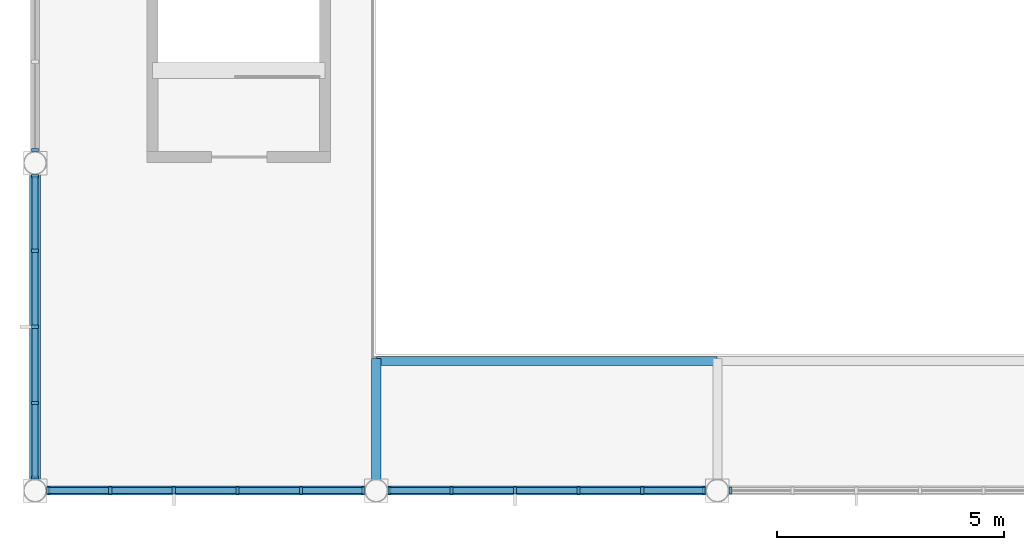
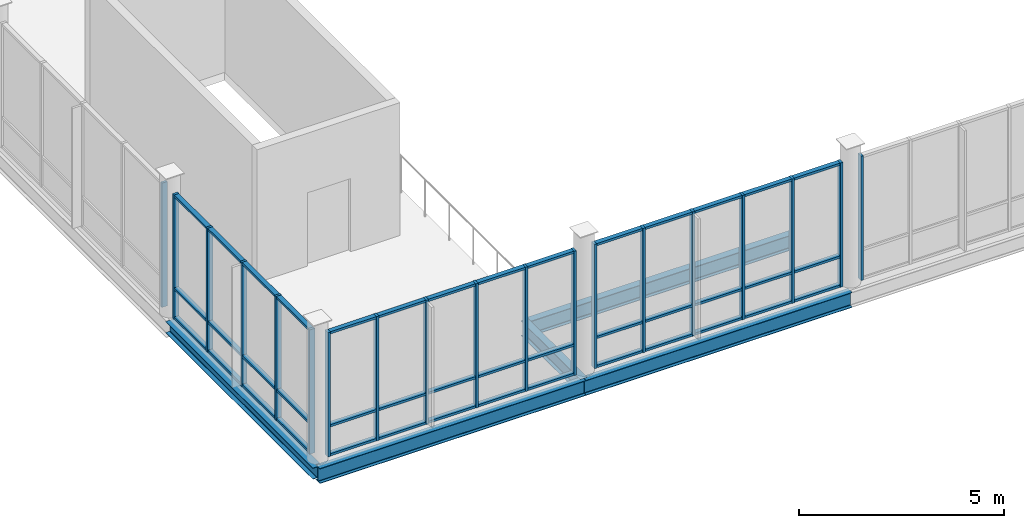
# One storey, part 15 of 75: 61 members, 5 beams, 5 elements without a shape of their own.
"""IFC4 building model written with IfcOpenShell, lengths in metres."""

from ifc_helpers import new_model, si_unit, direction, frame, origin, origin_2d, place, context, subcontext, project, spatial, rectangle, i_section, extrude, material, layer, layer_set, material_profile, profile_set, type_object, element, aggregate, save


model = new_model("IFC4")

# Units and contexts
model_context = context("Model", 3, precision=1e-05, world=origin(), true_north=direction((0.0, 1.0)))
body_context = subcontext(model_context, "Body", "Model", "MODEL_VIEW")
ifc_project = project(units=[si_unit("LENGTHUNIT", "METRE"), si_unit("AREAUNIT", "SQUARE_METRE"), si_unit("VOLUMEUNIT", "CUBIC_METRE"), si_unit("PLANEANGLEUNIT", "RADIAN"), si_unit("MASSUNIT", "GRAM", prefix="KILO")], contexts=[model_context])

# Site, building, storey
site_placement = place(None, origin())
site = spatial("IfcSite", under=ifc_project, at=site_placement, CompositionType="ELEMENT")
building_placement = place(site_placement, origin())
building = spatial("IfcBuilding", under=site, at=building_placement, Name="Yukiwa Park Conservatory and Herbarium", CompositionType="ELEMENT")
storey_placement = place(building_placement, frame((0.0, 0.0, 4.800048828125)))
storey = spatial("IfcBuildingStorey", under=building, at=storey_placement, Name="L01", CompositionType="ELEMENT", Elevation=4.800048828125)

# Beams
ifc_material_1 = material(Name="Steel Q355D", Category="steel")
ifc_material_profile_1 = material_profile(ifc_material_1, i_section(OverallWidth=0.25, OverallDepth=0.340087890625, WebThickness=0.009033203125, FlangeThickness=0.013916015625, FilletRadius=0.02001953125, at=origin_2d()), Name="HM 340x250x9x14")
ifc_profile_set_1 = profile_set([ifc_material_profile_1], Name="Steel Q355D")
beam_type_1 = type_object("IfcBeamType", Name="BM-GRD-HM340", PredefinedType="BEAM", material=ifc_profile_set_1)
beam_1_placement = place(storey_placement, frame((0.0, 0.006103515625, -0.41015625), z_axis=(0.0, 1.0, 0.0), x_axis=(-1.0, 0.0, 0.0)))
element("IfcBeam", 1, at=beam_1_placement, inside=storey, type_object=beam_type_1, Name="L01 grid girder Y-103", PredefinedType="BEAM", context=body_context, shape_type="SweptSolid", body=[
    extrude(i_section(OverallWidth=0.25, OverallDepth=0.340087890625, WebThickness=0.009033203125, FlangeThickness=0.013916015625, FilletRadius=0.02001953125, at=origin_2d()), origin(), (0.0, 0.0, 1.0), 7.18798828125),
])
ifc_material_2 = material(Name="Steel Q355D", Category="steel")
ifc_material_profile_2 = material_profile(ifc_material_2, i_section(OverallWidth=0.199951171875, OverallDepth=0.449951171875, WebThickness=0.009033203125, FlangeThickness=0.013916015625, FilletRadius=0.01806640625, at=origin_2d()), Name="HN 450x200x9x14")
ifc_profile_set_2 = profile_set([ifc_material_profile_2], Name="Steel Q355D")
beam_type_2 = type_object("IfcBeamType", Name="BM-GRD-HN450", PredefinedType="BEAM", material=ifc_profile_set_2)
for number, where, z_axis, x_axis, name in (
    (2, (0.006103515625, 0.0, -0.465087890625), (1.0, 0.0, 0.0), (0.0, 1.0, 0.0), "L01 grid beam X-1"),
    (3, (7.506103515625, 0.0, -0.465087890625), (1.0, 0.0, 0.0), (0.0, 1.0, 0.0), "L01 grid beam X-2"),
):
    element("IfcBeam", number, at=place(storey_placement, frame(where, z_axis=z_axis, x_axis=x_axis)), inside=storey, type_object=beam_type_2, Name=name, PredefinedType="BEAM", context=body_context, shape_type="SweptSolid", body=[
        extrude(i_section(OverallWidth=0.199951171875, OverallDepth=0.449951171875, WebThickness=0.009033203125, FlangeThickness=0.013916015625, FilletRadius=0.01806640625, at=origin_2d()), origin(), (0.0, 0.0, 1.0), 7.48779296875),
    ])
beam_2_placement = place(storey_placement, frame((7.5, 0.006103515625, -0.465087890625), z_axis=(0.0, 1.0, 0.0), x_axis=(-1.0, 0.0, 0.0)))
element("IfcBeam", 4, at=beam_2_placement, inside=storey, type_object=beam_type_2, Name="Conservatory canopy walk cantilever bracket 1", PredefinedType="BEAM", context=body_context, shape_type="SweptSolid", body=[
    extrude(i_section(OverallWidth=0.199951171875, OverallDepth=0.449951171875, WebThickness=0.009033203125, FlangeThickness=0.013916015625, FilletRadius=0.01806640625, at=origin_2d()), origin(), (0.0, 0.0, 1.0), 2.893798828125),
])
beam_3_placement = place(storey_placement, frame((7.506103515625, 2.85009765625, -0.465087890625), z_axis=(1.0, 0.0, 0.0), x_axis=(0.0, 1.0, 0.0)))
element("IfcBeam", 5, at=beam_3_placement, inside=storey, type_object=beam_type_2, Name="Conservatory canopy walk edge beam 1", PredefinedType="BEAM", context=body_context, shape_type="SweptSolid", body=[
    extrude(i_section(OverallWidth=0.199951171875, OverallDepth=0.449951171875, WebThickness=0.009033203125, FlangeThickness=0.013916015625, FilletRadius=0.01806640625, at=origin_2d()), origin(), (0.0, 0.0, 1.0), 7.48779296875),
])

# Curtain wall, members
ifc_material_3 = material(Name="Triple Low-E Insulated Glass", Category="glass")
ifc_layer_1 = layer(ifc_material_3, 0.152099609375)
ifc_layer_set_1 = layer_set([ifc_layer_1], Name="Triple Low-E Insulated Glass")
curtain_wall_type_1 = type_object("IfcCurtainWallType", Name="CW-CONSERVATORY-1500", PredefinedType="NOTDEFINED", material=ifc_layer_set_1)
curtain_wall_1_placement = place(storey_placement, origin())
curtain_wall_1 = element("IfcCurtainWall", 6, at=curtain_wall_1_placement, inside=storey, type_object=curtain_wall_type_1, Name="L01 unitised curtain wall CW-L01-026", PredefinedType="NOTDEFINED")
ifc_material_4 = material(Name="Anodised Aluminium", Category="aluminium")
member_type_1 = type_object("IfcMemberType", Name="MB-CW-MUL-70X150", PredefinedType="MULLION", material=ifc_material_4)
member_1_placement = place(storey_placement, frame((0.2890625, 0.0, 0.0), z_axis=(0.0, 0.0, 1.0), x_axis=(1.0, 0.0, 0.0)))
member_1 = element("IfcMember", 7, at=member_1_placement, type_object=member_type_1, Name="CW-L01-026 mullion 1", PredefinedType="MULLION", context=body_context, shape_type="SweptSolid", body=[
    extrude(rectangle(XDim=0.070068359375, YDim=0.14990234375, at=origin_2d()), origin(), (0.0, 0.0, 1.0), 3.699951171875),
])
member_2_placement = place(storey_placement, frame((1.65234375, 0.0, 0.0), z_axis=(0.0, 0.0, 1.0), x_axis=(1.0, 0.0, 0.0)))
member_2 = element("IfcMember", 8, at=member_2_placement, type_object=member_type_1, Name="CW-L01-026 mullion 2", PredefinedType="MULLION", context=body_context, shape_type="SweptSolid", body=[
    extrude(rectangle(XDim=0.070068359375, YDim=0.14990234375, at=origin_2d()), origin(), (0.0, 0.0, 1.0), 3.699951171875),
])
member_3_placement = place(storey_placement, frame((3.05078125, 0.0, 0.0), z_axis=(0.0, 0.0, 1.0), x_axis=(1.0, 0.0, 0.0)))
member_3 = element("IfcMember", 9, at=member_3_placement, type_object=member_type_1, Name="CW-L01-026 mullion 3", PredefinedType="MULLION", context=body_context, shape_type="SweptSolid", body=[
    extrude(rectangle(XDim=0.070068359375, YDim=0.14990234375, at=origin_2d()), origin(), (0.0, 0.0, 1.0), 3.699951171875),
])
member_4_placement = place(storey_placement, frame((4.44921875, 0.0, 0.0), z_axis=(0.0, 0.0, 1.0), x_axis=(1.0, 0.0, 0.0)))
member_4 = element("IfcMember", 10, at=member_4_placement, type_object=member_type_1, Name="CW-L01-026 mullion 4", PredefinedType="MULLION", context=body_context, shape_type="SweptSolid", body=[
    extrude(rectangle(XDim=0.070068359375, YDim=0.14990234375, at=origin_2d()), origin(), (0.0, 0.0, 1.0), 3.699951171875),
])
member_5_placement = place(storey_placement, frame((5.84765625, 0.0, 0.0), z_axis=(0.0, 0.0, 1.0), x_axis=(1.0, 0.0, 0.0)))
member_5 = element("IfcMember", 11, at=member_5_placement, type_object=member_type_1, Name="CW-L01-026 mullion 5", PredefinedType="MULLION", context=body_context, shape_type="SweptSolid", body=[
    extrude(rectangle(XDim=0.070068359375, YDim=0.14990234375, at=origin_2d()), origin(), (0.0, 0.0, 1.0), 3.699951171875),
])
member_6_placement = place(storey_placement, frame((7.2109375, 0.0, 0.0), z_axis=(0.0, 0.0, 1.0), x_axis=(1.0, 0.0, 0.0)))
member_6 = element("IfcMember", 12, at=member_6_placement, type_object=member_type_1, Name="CW-L01-026 mullion 6", PredefinedType="MULLION", context=body_context, shape_type="SweptSolid", body=[
    extrude(rectangle(XDim=0.070068359375, YDim=0.14990234375, at=origin_2d()), origin(), (0.0, 0.0, 1.0), 3.699951171875),
])

curtain_wall_2_placement = place(storey_placement, origin())
curtain_wall_2 = element("IfcCurtainWall", 13, at=curtain_wall_2_placement, inside=storey, type_object=curtain_wall_type_1, Name="L01 unitised curtain wall CW-L01-027", PredefinedType="NOTDEFINED")
member_7_placement = place(storey_placement, frame((7.7890625, 0.0, 0.0), z_axis=(0.0, 0.0, 1.0), x_axis=(1.0, 0.0, 0.0)))
member_7 = element("IfcMember", 14, at=member_7_placement, type_object=member_type_1, Name="CW-L01-027 mullion 1", PredefinedType="MULLION", context=body_context, shape_type="SweptSolid", body=[
    extrude(rectangle(XDim=0.070068359375, YDim=0.14990234375, at=origin_2d()), origin(), (0.0, 0.0, 1.0), 3.699951171875),
])
member_8_placement = place(storey_placement, frame((9.15234375, 0.0, 0.0), z_axis=(0.0, 0.0, 1.0), x_axis=(1.0, 0.0, 0.0)))
member_8 = element("IfcMember", 15, at=member_8_placement, type_object=member_type_1, Name="CW-L01-027 mullion 2", PredefinedType="MULLION", context=body_context, shape_type="SweptSolid", body=[
    extrude(rectangle(XDim=0.070068359375, YDim=0.14990234375, at=origin_2d()), origin(), (0.0, 0.0, 1.0), 3.699951171875),
])
member_9_placement = place(storey_placement, frame((10.55078125, 0.0, 0.0), z_axis=(0.0, 0.0, 1.0), x_axis=(1.0, 0.0, 0.0)))
member_9 = element("IfcMember", 16, at=member_9_placement, type_object=member_type_1, Name="CW-L01-027 mullion 3", PredefinedType="MULLION", context=body_context, shape_type="SweptSolid", body=[
    extrude(rectangle(XDim=0.070068359375, YDim=0.14990234375, at=origin_2d()), origin(), (0.0, 0.0, 1.0), 3.699951171875),
])
member_10_placement = place(storey_placement, frame((11.94921875, 0.0, 0.0), z_axis=(0.0, 0.0, 1.0), x_axis=(1.0, 0.0, 0.0)))
member_10 = element("IfcMember", 17, at=member_10_placement, type_object=member_type_1, Name="CW-L01-027 mullion 4", PredefinedType="MULLION", context=body_context, shape_type="SweptSolid", body=[
    extrude(rectangle(XDim=0.070068359375, YDim=0.14990234375, at=origin_2d()), origin(), (0.0, 0.0, 1.0), 3.699951171875),
])
member_11_placement = place(storey_placement, frame((13.34765625, 0.0, 0.0), z_axis=(0.0, 0.0, 1.0), x_axis=(1.0, 0.0, 0.0)))
member_11 = element("IfcMember", 18, at=member_11_placement, type_object=member_type_1, Name="CW-L01-027 mullion 5", PredefinedType="MULLION", context=body_context, shape_type="SweptSolid", body=[
    extrude(rectangle(XDim=0.070068359375, YDim=0.14990234375, at=origin_2d()), origin(), (0.0, 0.0, 1.0), 3.699951171875),
])
member_12_placement = place(storey_placement, frame((14.7109375, 0.0, 0.0), z_axis=(0.0, 0.0, 1.0), x_axis=(1.0, 0.0, 0.0)))
member_12 = element("IfcMember", 19, at=member_12_placement, type_object=member_type_1, Name="CW-L01-027 mullion 6", PredefinedType="MULLION", context=body_context, shape_type="SweptSolid", body=[
    extrude(rectangle(XDim=0.070068359375, YDim=0.14990234375, at=origin_2d()), origin(), (0.0, 0.0, 1.0), 3.699951171875),
])

# Curtain wall, member
curtain_wall_3_placement = place(storey_placement, origin())
curtain_wall_3 = element("IfcCurtainWall", 20, at=curtain_wall_3_placement, inside=storey, type_object=curtain_wall_type_1, Name="L01 unitised curtain wall CW-L01-028", PredefinedType="NOTDEFINED")
member_13_placement = place(storey_placement, frame((15.2890625, 0.0, 0.0), z_axis=(0.0, 0.0, 1.0), x_axis=(1.0, 0.0, 0.0)))
member_13 = element("IfcMember", 21, at=member_13_placement, type_object=member_type_1, Name="CW-L01-028 mullion 1", PredefinedType="MULLION", context=body_context, shape_type="SweptSolid", body=[
    extrude(rectangle(XDim=0.070068359375, YDim=0.14990234375, at=origin_2d()), origin(), (0.0, 0.0, 1.0), 3.699951171875),
])
aggregate(curtain_wall_3, [member_13])

ifc_material_5 = material(Name="Triple Low-E Insulated Glass", Category="glass")
ifc_layer_2 = layer(ifc_material_5, 0.1640625)
ifc_layer_set_2 = layer_set([ifc_layer_2], Name="Triple Low-E Insulated Glass")
curtain_wall_type_2 = type_object("IfcCurtainWallType", Name="CW-CONSERVATORY-1875", PredefinedType="NOTDEFINED", material=ifc_layer_set_2)
curtain_wall_4_placement = place(storey_placement, origin())
curtain_wall_4 = element("IfcCurtainWall", 22, at=curtain_wall_4_placement, inside=storey, type_object=curtain_wall_type_2, Name="L01 unitised curtain wall CW-L01-060", PredefinedType="NOTDEFINED")
member_14_placement = place(storey_placement, frame((0.0, 7.489013671875, 0.0), z_axis=(0.0, 0.0, 1.0), x_axis=(0.0, -1.0, 0.0)))
member_14 = element("IfcMember", 23, at=member_14_placement, type_object=member_type_1, Name="CW-L01-060 mullion 5", PredefinedType="MULLION", context=body_context, shape_type="SweptSolid", body=[
    extrude(rectangle(XDim=0.070068359375, YDim=0.14990234375, at=origin_2d()), origin(), (0.0, 0.0, 1.0), 3.699951171875),
])
aggregate(curtain_wall_4, [member_14])

# Curtain wall, members
curtain_wall_5_placement = place(storey_placement, origin())
curtain_wall_5 = element("IfcCurtainWall", 24, at=curtain_wall_5_placement, inside=storey, type_object=curtain_wall_type_2, Name="L01 unitised curtain wall CW-L01-061", PredefinedType="NOTDEFINED")
member_15_placement = place(storey_placement, frame((0.0, 6.910888671875, 0.0), z_axis=(0.0, 0.0, 1.0), x_axis=(0.0, -1.0, 0.0)))
member_15 = element("IfcMember", 25, at=member_15_placement, type_object=member_type_1, Name="CW-L01-061 mullion 1", PredefinedType="MULLION", context=body_context, shape_type="SweptSolid", body=[
    extrude(rectangle(XDim=0.070068359375, YDim=0.14990234375, at=origin_2d()), origin(), (0.0, 0.0, 1.0), 3.699951171875),
])
member_16_placement = place(storey_placement, frame((0.0, 5.27294921875, 0.0), z_axis=(0.0, 0.0, 1.0), x_axis=(0.0, -1.0, 0.0)))
member_16 = element("IfcMember", 26, at=member_16_placement, type_object=member_type_1, Name="CW-L01-061 mullion 2", PredefinedType="MULLION", context=body_context, shape_type="SweptSolid", body=[
    extrude(rectangle(XDim=0.070068359375, YDim=0.14990234375, at=origin_2d()), origin(), (0.0, 0.0, 1.0), 3.699951171875),
])
member_17_placement = place(storey_placement, frame((0.0, 3.60009765625, 0.0), z_axis=(0.0, 0.0, 1.0), x_axis=(0.0, -1.0, 0.0)))
member_17 = element("IfcMember", 27, at=member_17_placement, type_object=member_type_1, Name="CW-L01-061 mullion 3", PredefinedType="MULLION", context=body_context, shape_type="SweptSolid", body=[
    extrude(rectangle(XDim=0.070068359375, YDim=0.14990234375, at=origin_2d()), origin(), (0.0, 0.0, 1.0), 3.699951171875),
])
member_18_placement = place(storey_placement, frame((0.0, 1.927001953125, 0.0), z_axis=(0.0, 0.0, 1.0), x_axis=(0.0, -1.0, 0.0)))
member_18 = element("IfcMember", 28, at=member_18_placement, type_object=member_type_1, Name="CW-L01-061 mullion 4", PredefinedType="MULLION", context=body_context, shape_type="SweptSolid", body=[
    extrude(rectangle(XDim=0.070068359375, YDim=0.14990234375, at=origin_2d()), origin(), (0.0, 0.0, 1.0), 3.699951171875),
])
member_19_placement = place(storey_placement, frame((0.0, 0.2890625, 0.0), z_axis=(0.0, 0.0, 1.0), x_axis=(0.0, -1.0, 0.0)))
member_19 = element("IfcMember", 29, at=member_19_placement, type_object=member_type_1, Name="CW-L01-061 mullion 5", PredefinedType="MULLION", context=body_context, shape_type="SweptSolid", body=[
    extrude(rectangle(XDim=0.070068359375, YDim=0.14990234375, at=origin_2d()), origin(), (0.0, 0.0, 1.0), 3.699951171875),
])

# Member
ifc_material_6 = material(Name="Anodised Aluminium", Category="aluminium")
member_type_2 = type_object("IfcMemberType", Name="MB-CW-TRN-70X130", PredefinedType="USERDEFINED", material=ifc_material_6)
member_20_placement = place(storey_placement, frame((0.953125, 0.0, 0.0), z_axis=(0.0, 0.0, 1.0), x_axis=(1.0, 0.0, 0.0)))
member_20 = element("IfcMember", 30, at=member_20_placement, type_object=member_type_2, Name="CW-L01-026 transom 1.1", ObjectType="TRANSOM", PredefinedType="USERDEFINED", context=body_context, shape_type="SweptSolid", body=[
    extrude(rectangle(XDim=1.328369140625, YDim=0.1298828125, at=origin_2d()), origin(), (0.0, 0.0, 1.0), 0.070068359375),
])

member_21_placement = place(storey_placement, frame((0.953125, 0.0, 0.86474609375), z_axis=(0.0, 0.0, 1.0), x_axis=(1.0, 0.0, 0.0)))
member_21 = element("IfcMember", 31, at=member_21_placement, type_object=member_type_2, Name="CW-L01-026 transom 1.2", ObjectType="TRANSOM", PredefinedType="USERDEFINED", context=body_context, shape_type="SweptSolid", body=[
    extrude(rectangle(XDim=1.328369140625, YDim=0.1298828125, at=origin_2d()), origin(), (0.0, 0.0, 1.0), 0.070068359375),
])

member_22_placement = place(storey_placement, frame((0.953125, 0.0, 3.6298828125), z_axis=(0.0, 0.0, 1.0), x_axis=(1.0, 0.0, 0.0)))
member_22 = element("IfcMember", 32, at=member_22_placement, type_object=member_type_2, Name="CW-L01-026 transom 1.3", ObjectType="TRANSOM", PredefinedType="USERDEFINED", context=body_context, shape_type="SweptSolid", body=[
    extrude(rectangle(XDim=1.328369140625, YDim=0.1298828125, at=origin_2d()), origin(), (0.0, 0.0, 1.0), 0.070068359375),
])

member_23_placement = place(storey_placement, frame((2.3515625, 0.0, 0.0), z_axis=(0.0, 0.0, 1.0), x_axis=(1.0, 0.0, 0.0)))
member_23 = element("IfcMember", 33, at=member_23_placement, type_object=member_type_2, Name="CW-L01-026 transom 2.1", ObjectType="TRANSOM", PredefinedType="USERDEFINED", context=body_context, shape_type="SweptSolid", body=[
    extrude(rectangle(XDim=1.328369140625, YDim=0.1298828125, at=origin_2d()), origin(), (0.0, 0.0, 1.0), 0.070068359375),
])

member_24_placement = place(storey_placement, frame((2.3515625, 0.0, 0.86474609375), z_axis=(0.0, 0.0, 1.0), x_axis=(1.0, 0.0, 0.0)))
member_24 = element("IfcMember", 34, at=member_24_placement, type_object=member_type_2, Name="CW-L01-026 transom 2.2", ObjectType="TRANSOM", PredefinedType="USERDEFINED", context=body_context, shape_type="SweptSolid", body=[
    extrude(rectangle(XDim=1.328369140625, YDim=0.1298828125, at=origin_2d()), origin(), (0.0, 0.0, 1.0), 0.070068359375),
])

member_25_placement = place(storey_placement, frame((2.3515625, 0.0, 3.6298828125), z_axis=(0.0, 0.0, 1.0), x_axis=(1.0, 0.0, 0.0)))
member_25 = element("IfcMember", 35, at=member_25_placement, type_object=member_type_2, Name="CW-L01-026 transom 2.3", ObjectType="TRANSOM", PredefinedType="USERDEFINED", context=body_context, shape_type="SweptSolid", body=[
    extrude(rectangle(XDim=1.328369140625, YDim=0.1298828125, at=origin_2d()), origin(), (0.0, 0.0, 1.0), 0.070068359375),
])

member_26_placement = place(storey_placement, frame((3.75, 0.0, 0.0), z_axis=(0.0, 0.0, 1.0), x_axis=(1.0, 0.0, 0.0)))
member_26 = element("IfcMember", 36, at=member_26_placement, type_object=member_type_2, Name="CW-L01-026 transom 3.1", ObjectType="TRANSOM", PredefinedType="USERDEFINED", context=body_context, shape_type="SweptSolid", body=[
    extrude(rectangle(XDim=1.328369140625, YDim=0.1298828125, at=origin_2d()), origin(), (0.0, 0.0, 1.0), 0.070068359375),
])

member_27_placement = place(storey_placement, frame((3.75, 0.0, 0.86474609375), z_axis=(0.0, 0.0, 1.0), x_axis=(1.0, 0.0, 0.0)))
member_27 = element("IfcMember", 37, at=member_27_placement, type_object=member_type_2, Name="CW-L01-026 transom 3.2", ObjectType="TRANSOM", PredefinedType="USERDEFINED", context=body_context, shape_type="SweptSolid", body=[
    extrude(rectangle(XDim=1.328369140625, YDim=0.1298828125, at=origin_2d()), origin(), (0.0, 0.0, 1.0), 0.070068359375),
])

member_28_placement = place(storey_placement, frame((3.75, 0.0, 3.6298828125), z_axis=(0.0, 0.0, 1.0), x_axis=(1.0, 0.0, 0.0)))
member_28 = element("IfcMember", 38, at=member_28_placement, type_object=member_type_2, Name="CW-L01-026 transom 3.3", ObjectType="TRANSOM", PredefinedType="USERDEFINED", context=body_context, shape_type="SweptSolid", body=[
    extrude(rectangle(XDim=1.328369140625, YDim=0.1298828125, at=origin_2d()), origin(), (0.0, 0.0, 1.0), 0.070068359375),
])

member_29_placement = place(storey_placement, frame((5.1484375, 0.0, 0.0), z_axis=(0.0, 0.0, 1.0), x_axis=(1.0, 0.0, 0.0)))
member_29 = element("IfcMember", 39, at=member_29_placement, type_object=member_type_2, Name="CW-L01-026 transom 4.1", ObjectType="TRANSOM", PredefinedType="USERDEFINED", context=body_context, shape_type="SweptSolid", body=[
    extrude(rectangle(XDim=1.328369140625, YDim=0.1298828125, at=origin_2d()), origin(), (0.0, 0.0, 1.0), 0.070068359375),
])

member_30_placement = place(storey_placement, frame((5.1484375, 0.0, 0.86474609375), z_axis=(0.0, 0.0, 1.0), x_axis=(1.0, 0.0, 0.0)))
member_30 = element("IfcMember", 40, at=member_30_placement, type_object=member_type_2, Name="CW-L01-026 transom 4.2", ObjectType="TRANSOM", PredefinedType="USERDEFINED", context=body_context, shape_type="SweptSolid", body=[
    extrude(rectangle(XDim=1.328369140625, YDim=0.1298828125, at=origin_2d()), origin(), (0.0, 0.0, 1.0), 0.070068359375),
])

member_31_placement = place(storey_placement, frame((5.1484375, 0.0, 3.6298828125), z_axis=(0.0, 0.0, 1.0), x_axis=(1.0, 0.0, 0.0)))
member_31 = element("IfcMember", 41, at=member_31_placement, type_object=member_type_2, Name="CW-L01-026 transom 4.3", ObjectType="TRANSOM", PredefinedType="USERDEFINED", context=body_context, shape_type="SweptSolid", body=[
    extrude(rectangle(XDim=1.328369140625, YDim=0.1298828125, at=origin_2d()), origin(), (0.0, 0.0, 1.0), 0.070068359375),
])

member_32_placement = place(storey_placement, frame((6.546875, 0.0, 0.0), z_axis=(0.0, 0.0, 1.0), x_axis=(1.0, 0.0, 0.0)))
member_32 = element("IfcMember", 42, at=member_32_placement, type_object=member_type_2, Name="CW-L01-026 transom 5.1", ObjectType="TRANSOM", PredefinedType="USERDEFINED", context=body_context, shape_type="SweptSolid", body=[
    extrude(rectangle(XDim=1.328369140625, YDim=0.1298828125, at=origin_2d()), origin(), (0.0, 0.0, 1.0), 0.070068359375),
])

member_33_placement = place(storey_placement, frame((6.546875, 0.0, 0.86474609375), z_axis=(0.0, 0.0, 1.0), x_axis=(1.0, 0.0, 0.0)))
member_33 = element("IfcMember", 43, at=member_33_placement, type_object=member_type_2, Name="CW-L01-026 transom 5.2", ObjectType="TRANSOM", PredefinedType="USERDEFINED", context=body_context, shape_type="SweptSolid", body=[
    extrude(rectangle(XDim=1.328369140625, YDim=0.1298828125, at=origin_2d()), origin(), (0.0, 0.0, 1.0), 0.070068359375),
])

member_34_placement = place(storey_placement, frame((6.546875, 0.0, 3.6298828125), z_axis=(0.0, 0.0, 1.0), x_axis=(1.0, 0.0, 0.0)))
member_34 = element("IfcMember", 44, at=member_34_placement, type_object=member_type_2, Name="CW-L01-026 transom 5.3", ObjectType="TRANSOM", PredefinedType="USERDEFINED", context=body_context, shape_type="SweptSolid", body=[
    extrude(rectangle(XDim=1.328369140625, YDim=0.1298828125, at=origin_2d()), origin(), (0.0, 0.0, 1.0), 0.070068359375),
])

aggregate(curtain_wall_1, [member_1, member_2, member_3, member_4, member_5, member_6, member_20, member_21, member_22, member_23, member_24, member_25, member_26, member_27, member_28, member_29, member_30, member_31, member_32, member_33, member_34])

member_35_placement = place(storey_placement, frame((8.453125, 0.0, 0.0), z_axis=(0.0, 0.0, 1.0), x_axis=(1.0, 0.0, 0.0)))
member_35 = element("IfcMember", 45, at=member_35_placement, type_object=member_type_2, Name="CW-L01-027 transom 1.1", ObjectType="TRANSOM", PredefinedType="USERDEFINED", context=body_context, shape_type="SweptSolid", body=[
    extrude(rectangle(XDim=1.328369140625, YDim=0.1298828125, at=origin_2d()), origin(), (0.0, 0.0, 1.0), 0.070068359375),
])

member_36_placement = place(storey_placement, frame((8.453125, 0.0, 0.86474609375), z_axis=(0.0, 0.0, 1.0), x_axis=(1.0, 0.0, 0.0)))
member_36 = element("IfcMember", 46, at=member_36_placement, type_object=member_type_2, Name="CW-L01-027 transom 1.2", ObjectType="TRANSOM", PredefinedType="USERDEFINED", context=body_context, shape_type="SweptSolid", body=[
    extrude(rectangle(XDim=1.328369140625, YDim=0.1298828125, at=origin_2d()), origin(), (0.0, 0.0, 1.0), 0.070068359375),
])

member_37_placement = place(storey_placement, frame((8.453125, 0.0, 3.6298828125), z_axis=(0.0, 0.0, 1.0), x_axis=(1.0, 0.0, 0.0)))
member_37 = element("IfcMember", 47, at=member_37_placement, type_object=member_type_2, Name="CW-L01-027 transom 1.3", ObjectType="TRANSOM", PredefinedType="USERDEFINED", context=body_context, shape_type="SweptSolid", body=[
    extrude(rectangle(XDim=1.328369140625, YDim=0.1298828125, at=origin_2d()), origin(), (0.0, 0.0, 1.0), 0.070068359375),
])

member_38_placement = place(storey_placement, frame((9.8515625, 0.0, 0.0), z_axis=(0.0, 0.0, 1.0), x_axis=(1.0, 0.0, 0.0)))
member_38 = element("IfcMember", 48, at=member_38_placement, type_object=member_type_2, Name="CW-L01-027 transom 2.1", ObjectType="TRANSOM", PredefinedType="USERDEFINED", context=body_context, shape_type="SweptSolid", body=[
    extrude(rectangle(XDim=1.328369140625, YDim=0.1298828125, at=origin_2d()), origin(), (0.0, 0.0, 1.0), 0.070068359375),
])

member_39_placement = place(storey_placement, frame((9.8515625, 0.0, 0.86474609375), z_axis=(0.0, 0.0, 1.0), x_axis=(1.0, 0.0, 0.0)))
member_39 = element("IfcMember", 49, at=member_39_placement, type_object=member_type_2, Name="CW-L01-027 transom 2.2", ObjectType="TRANSOM", PredefinedType="USERDEFINED", context=body_context, shape_type="SweptSolid", body=[
    extrude(rectangle(XDim=1.328369140625, YDim=0.1298828125, at=origin_2d()), origin(), (0.0, 0.0, 1.0), 0.070068359375),
])

member_40_placement = place(storey_placement, frame((9.8515625, 0.0, 3.6298828125), z_axis=(0.0, 0.0, 1.0), x_axis=(1.0, 0.0, 0.0)))
member_40 = element("IfcMember", 50, at=member_40_placement, type_object=member_type_2, Name="CW-L01-027 transom 2.3", ObjectType="TRANSOM", PredefinedType="USERDEFINED", context=body_context, shape_type="SweptSolid", body=[
    extrude(rectangle(XDim=1.328369140625, YDim=0.1298828125, at=origin_2d()), origin(), (0.0, 0.0, 1.0), 0.070068359375),
])

member_41_placement = place(storey_placement, frame((11.25, 0.0, 0.0), z_axis=(0.0, 0.0, 1.0), x_axis=(1.0, 0.0, 0.0)))
member_41 = element("IfcMember", 51, at=member_41_placement, type_object=member_type_2, Name="CW-L01-027 transom 3.1", ObjectType="TRANSOM", PredefinedType="USERDEFINED", context=body_context, shape_type="SweptSolid", body=[
    extrude(rectangle(XDim=1.328369140625, YDim=0.1298828125, at=origin_2d()), origin(), (0.0, 0.0, 1.0), 0.070068359375),
])

member_42_placement = place(storey_placement, frame((11.25, 0.0, 0.86474609375), z_axis=(0.0, 0.0, 1.0), x_axis=(1.0, 0.0, 0.0)))
member_42 = element("IfcMember", 52, at=member_42_placement, type_object=member_type_2, Name="CW-L01-027 transom 3.2", ObjectType="TRANSOM", PredefinedType="USERDEFINED", context=body_context, shape_type="SweptSolid", body=[
    extrude(rectangle(XDim=1.328369140625, YDim=0.1298828125, at=origin_2d()), origin(), (0.0, 0.0, 1.0), 0.070068359375),
])

member_43_placement = place(storey_placement, frame((11.25, 0.0, 3.6298828125), z_axis=(0.0, 0.0, 1.0), x_axis=(1.0, 0.0, 0.0)))
member_43 = element("IfcMember", 53, at=member_43_placement, type_object=member_type_2, Name="CW-L01-027 transom 3.3", ObjectType="TRANSOM", PredefinedType="USERDEFINED", context=body_context, shape_type="SweptSolid", body=[
    extrude(rectangle(XDim=1.328369140625, YDim=0.1298828125, at=origin_2d()), origin(), (0.0, 0.0, 1.0), 0.070068359375),
])

member_44_placement = place(storey_placement, frame((12.6484375, 0.0, 0.0), z_axis=(0.0, 0.0, 1.0), x_axis=(1.0, 0.0, 0.0)))
member_44 = element("IfcMember", 54, at=member_44_placement, type_object=member_type_2, Name="CW-L01-027 transom 4.1", ObjectType="TRANSOM", PredefinedType="USERDEFINED", context=body_context, shape_type="SweptSolid", body=[
    extrude(rectangle(XDim=1.328369140625, YDim=0.1298828125, at=origin_2d()), origin(), (0.0, 0.0, 1.0), 0.070068359375),
])

member_45_placement = place(storey_placement, frame((12.6484375, 0.0, 0.86474609375), z_axis=(0.0, 0.0, 1.0), x_axis=(1.0, 0.0, 0.0)))
member_45 = element("IfcMember", 55, at=member_45_placement, type_object=member_type_2, Name="CW-L01-027 transom 4.2", ObjectType="TRANSOM", PredefinedType="USERDEFINED", context=body_context, shape_type="SweptSolid", body=[
    extrude(rectangle(XDim=1.328369140625, YDim=0.1298828125, at=origin_2d()), origin(), (0.0, 0.0, 1.0), 0.070068359375),
])

member_46_placement = place(storey_placement, frame((12.6484375, 0.0, 3.6298828125), z_axis=(0.0, 0.0, 1.0), x_axis=(1.0, 0.0, 0.0)))
member_46 = element("IfcMember", 56, at=member_46_placement, type_object=member_type_2, Name="CW-L01-027 transom 4.3", ObjectType="TRANSOM", PredefinedType="USERDEFINED", context=body_context, shape_type="SweptSolid", body=[
    extrude(rectangle(XDim=1.328369140625, YDim=0.1298828125, at=origin_2d()), origin(), (0.0, 0.0, 1.0), 0.070068359375),
])

member_47_placement = place(storey_placement, frame((14.046875, 0.0, 0.0), z_axis=(0.0, 0.0, 1.0), x_axis=(1.0, 0.0, 0.0)))
member_47 = element("IfcMember", 57, at=member_47_placement, type_object=member_type_2, Name="CW-L01-027 transom 5.1", ObjectType="TRANSOM", PredefinedType="USERDEFINED", context=body_context, shape_type="SweptSolid", body=[
    extrude(rectangle(XDim=1.328369140625, YDim=0.1298828125, at=origin_2d()), origin(), (0.0, 0.0, 1.0), 0.070068359375),
])

member_48_placement = place(storey_placement, frame((14.046875, 0.0, 0.86474609375), z_axis=(0.0, 0.0, 1.0), x_axis=(1.0, 0.0, 0.0)))
member_48 = element("IfcMember", 58, at=member_48_placement, type_object=member_type_2, Name="CW-L01-027 transom 5.2", ObjectType="TRANSOM", PredefinedType="USERDEFINED", context=body_context, shape_type="SweptSolid", body=[
    extrude(rectangle(XDim=1.328369140625, YDim=0.1298828125, at=origin_2d()), origin(), (0.0, 0.0, 1.0), 0.070068359375),
])

member_49_placement = place(storey_placement, frame((14.046875, 0.0, 3.6298828125), z_axis=(0.0, 0.0, 1.0), x_axis=(1.0, 0.0, 0.0)))
member_49 = element("IfcMember", 59, at=member_49_placement, type_object=member_type_2, Name="CW-L01-027 transom 5.3", ObjectType="TRANSOM", PredefinedType="USERDEFINED", context=body_context, shape_type="SweptSolid", body=[
    extrude(rectangle(XDim=1.328369140625, YDim=0.1298828125, at=origin_2d()), origin(), (0.0, 0.0, 1.0), 0.070068359375),
])

aggregate(curtain_wall_2, [member_7, member_8, member_9, member_10, member_11, member_12, member_35, member_36, member_37, member_38, member_39, member_40, member_41, member_42, member_43, member_44, member_45, member_46, member_47, member_48, member_49])

member_50_placement = place(storey_placement, frame((0.0, 6.109619140625, 0.0), z_axis=(0.0, 0.0, 1.0), x_axis=(0.0, -1.0, 0.0)))
member_50 = element("IfcMember", 60, at=member_50_placement, type_object=member_type_2, Name="CW-L01-061 transom 1.1", ObjectType="TRANSOM", PredefinedType="USERDEFINED", context=body_context, shape_type="SweptSolid", body=[
    extrude(rectangle(XDim=1.60302734375, YDim=0.1298828125, at=origin_2d()), origin(), (0.0, 0.0, 1.0), 0.070068359375),
])

member_51_placement = place(storey_placement, frame((0.0, 6.109619140625, 0.86474609375), z_axis=(0.0, 0.0, 1.0), x_axis=(0.0, -1.0, 0.0)))
member_51 = element("IfcMember", 61, at=member_51_placement, type_object=member_type_2, Name="CW-L01-061 transom 1.2", ObjectType="TRANSOM", PredefinedType="USERDEFINED", context=body_context, shape_type="SweptSolid", body=[
    extrude(rectangle(XDim=1.60302734375, YDim=0.1298828125, at=origin_2d()), origin(), (0.0, 0.0, 1.0), 0.070068359375),
])

member_52_placement = place(storey_placement, frame((0.0, 6.109619140625, 3.6298828125), z_axis=(0.0, 0.0, 1.0), x_axis=(0.0, -1.0, 0.0)))
member_52 = element("IfcMember", 62, at=member_52_placement, type_object=member_type_2, Name="CW-L01-061 transom 1.3", ObjectType="TRANSOM", PredefinedType="USERDEFINED", context=body_context, shape_type="SweptSolid", body=[
    extrude(rectangle(XDim=1.60302734375, YDim=0.1298828125, at=origin_2d()), origin(), (0.0, 0.0, 1.0), 0.070068359375),
])

member_53_placement = place(storey_placement, frame((0.0, 4.4365234375, 0.0), z_axis=(0.0, 0.0, 1.0), x_axis=(0.0, -1.0, 0.0)))
member_53 = element("IfcMember", 63, at=member_53_placement, type_object=member_type_2, Name="CW-L01-061 transom 2.1", ObjectType="TRANSOM", PredefinedType="USERDEFINED", context=body_context, shape_type="SweptSolid", body=[
    extrude(rectangle(XDim=1.60302734375, YDim=0.1298828125, at=origin_2d()), origin(), (0.0, 0.0, 1.0), 0.070068359375),
])

member_54_placement = place(storey_placement, frame((0.0, 4.4365234375, 0.86474609375), z_axis=(0.0, 0.0, 1.0), x_axis=(0.0, -1.0, 0.0)))
member_54 = element("IfcMember", 64, at=member_54_placement, type_object=member_type_2, Name="CW-L01-061 transom 2.2", ObjectType="TRANSOM", PredefinedType="USERDEFINED", context=body_context, shape_type="SweptSolid", body=[
    extrude(rectangle(XDim=1.60302734375, YDim=0.1298828125, at=origin_2d()), origin(), (0.0, 0.0, 1.0), 0.070068359375),
])

member_55_placement = place(storey_placement, frame((0.0, 4.4365234375, 3.6298828125), z_axis=(0.0, 0.0, 1.0), x_axis=(0.0, -1.0, 0.0)))
member_55 = element("IfcMember", 65, at=member_55_placement, type_object=member_type_2, Name="CW-L01-061 transom 2.3", ObjectType="TRANSOM", PredefinedType="USERDEFINED", context=body_context, shape_type="SweptSolid", body=[
    extrude(rectangle(XDim=1.60302734375, YDim=0.1298828125, at=origin_2d()), origin(), (0.0, 0.0, 1.0), 0.070068359375),
])

member_56_placement = place(storey_placement, frame((0.0, 2.763427734375, 0.0), z_axis=(0.0, 0.0, 1.0), x_axis=(0.0, -1.0, 0.0)))
member_56 = element("IfcMember", 66, at=member_56_placement, type_object=member_type_2, Name="CW-L01-061 transom 3.1", ObjectType="TRANSOM", PredefinedType="USERDEFINED", context=body_context, shape_type="SweptSolid", body=[
    extrude(rectangle(XDim=1.60302734375, YDim=0.1298828125, at=origin_2d()), origin(), (0.0, 0.0, 1.0), 0.070068359375),
])

member_57_placement = place(storey_placement, frame((0.0, 2.763427734375, 0.86474609375), z_axis=(0.0, 0.0, 1.0), x_axis=(0.0, -1.0, 0.0)))
member_57 = element("IfcMember", 67, at=member_57_placement, type_object=member_type_2, Name="CW-L01-061 transom 3.2", ObjectType="TRANSOM", PredefinedType="USERDEFINED", context=body_context, shape_type="SweptSolid", body=[
    extrude(rectangle(XDim=1.60302734375, YDim=0.1298828125, at=origin_2d()), origin(), (0.0, 0.0, 1.0), 0.070068359375),
])

member_58_placement = place(storey_placement, frame((0.0, 2.763427734375, 3.6298828125), z_axis=(0.0, 0.0, 1.0), x_axis=(0.0, -1.0, 0.0)))
member_58 = element("IfcMember", 68, at=member_58_placement, type_object=member_type_2, Name="CW-L01-061 transom 3.3", ObjectType="TRANSOM", PredefinedType="USERDEFINED", context=body_context, shape_type="SweptSolid", body=[
    extrude(rectangle(XDim=1.60302734375, YDim=0.1298828125, at=origin_2d()), origin(), (0.0, 0.0, 1.0), 0.070068359375),
])

member_59_placement = place(storey_placement, frame((0.0, 1.090576171875, 0.0), z_axis=(0.0, 0.0, 1.0), x_axis=(0.0, -1.0, 0.0)))
member_59 = element("IfcMember", 69, at=member_59_placement, type_object=member_type_2, Name="CW-L01-061 transom 4.1", ObjectType="TRANSOM", PredefinedType="USERDEFINED", context=body_context, shape_type="SweptSolid", body=[
    extrude(rectangle(XDim=1.60302734375, YDim=0.1298828125, at=origin_2d()), origin(), (0.0, 0.0, 1.0), 0.070068359375),
])

member_60_placement = place(storey_placement, frame((0.0, 1.090576171875, 0.86474609375), z_axis=(0.0, 0.0, 1.0), x_axis=(0.0, -1.0, 0.0)))
member_60 = element("IfcMember", 70, at=member_60_placement, type_object=member_type_2, Name="CW-L01-061 transom 4.2", ObjectType="TRANSOM", PredefinedType="USERDEFINED", context=body_context, shape_type="SweptSolid", body=[
    extrude(rectangle(XDim=1.60302734375, YDim=0.1298828125, at=origin_2d()), origin(), (0.0, 0.0, 1.0), 0.070068359375),
])

member_61_placement = place(storey_placement, frame((0.0, 1.090576171875, 3.6298828125), z_axis=(0.0, 0.0, 1.0), x_axis=(0.0, -1.0, 0.0)))
member_61 = element("IfcMember", 71, at=member_61_placement, type_object=member_type_2, Name="CW-L01-061 transom 4.3", ObjectType="TRANSOM", PredefinedType="USERDEFINED", context=body_context, shape_type="SweptSolid", body=[
    extrude(rectangle(XDim=1.60302734375, YDim=0.1298828125, at=origin_2d()), origin(), (0.0, 0.0, 1.0), 0.070068359375),
])

aggregate(curtain_wall_5, [member_15, member_16, member_17, member_18, member_19, member_50, member_51, member_52, member_53, member_54, member_55, member_56, member_57, member_58, member_59, member_60, member_61])

save(model, "model.ifc")
